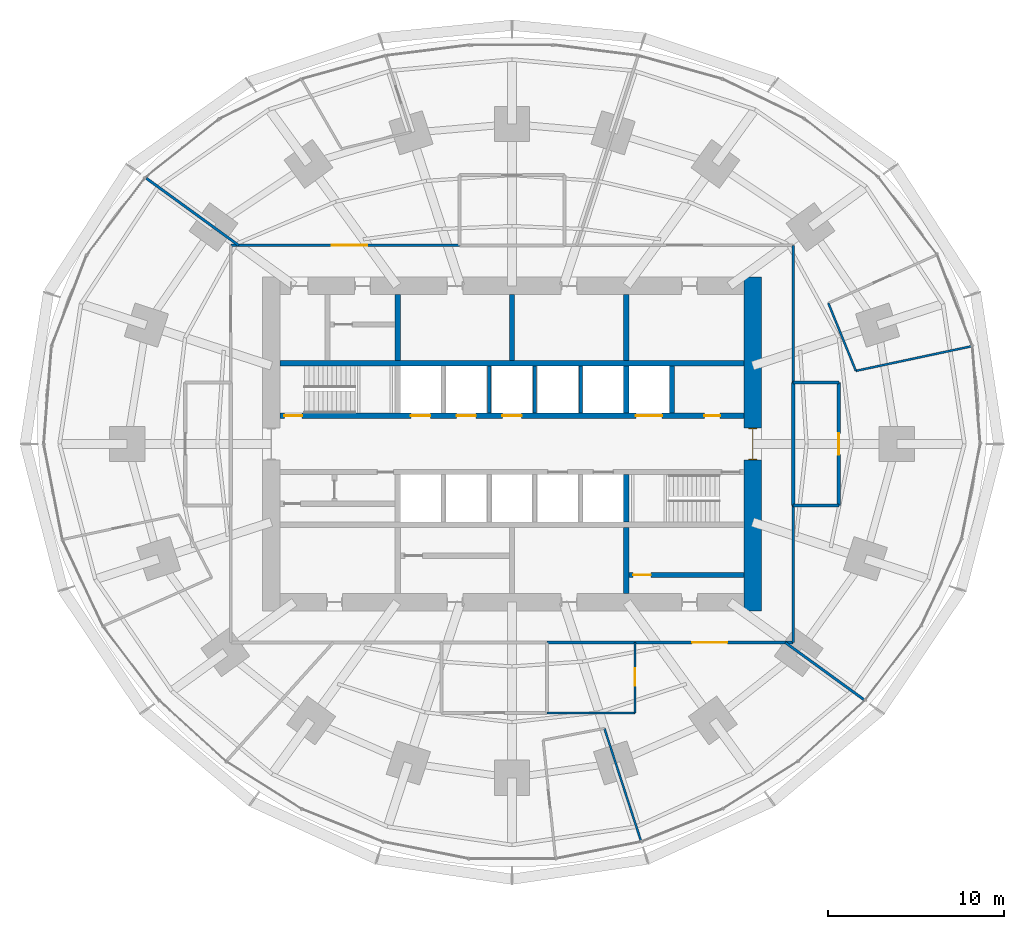
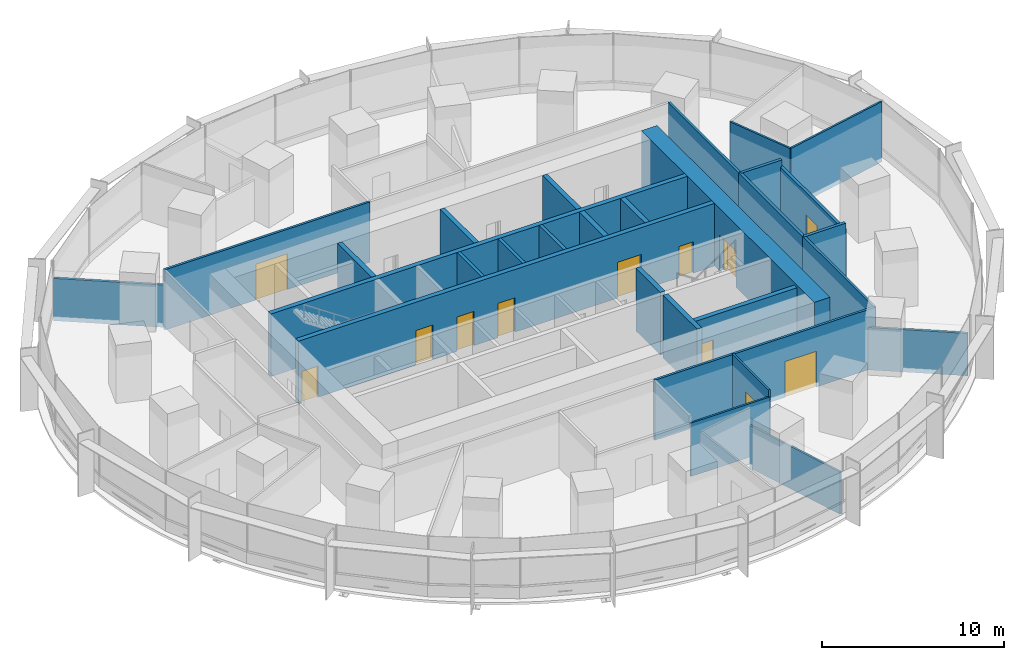
# One storey, part 12 of 15: 29 walls, 12 doors, 12 openings.
"""IFC4 building model written with IfcOpenShell, lengths in metres."""

from ifc_helpers import new_model, si_unit, direction, frame, frame_2d, origin, place, context, subcontext, project, spatial, rectangle, extrude, material, layer, layer_set, type_object, element, fill, save


model = new_model("IFC4")

# Units and contexts
model_context = context("Model", 3, precision=1e-05, world=origin(), true_north=direction((0.0, 1.0)))
body_context = subcontext(model_context, "Body", "Model", "MODEL_VIEW")
ifc_project = project(units=[si_unit("LENGTHUNIT", "METRE"), si_unit("AREAUNIT", "SQUARE_METRE"), si_unit("VOLUMEUNIT", "CUBIC_METRE"), si_unit("PLANEANGLEUNIT", "RADIAN"), si_unit("MASSUNIT", "GRAM", prefix="KILO")], contexts=[model_context])

# Site, building, storey
site_placement = place(None, origin())
site = spatial("IfcSite", under=ifc_project, at=site_placement, CompositionType="ELEMENT")
building_placement = place(site_placement, origin())
building = spatial("IfcBuilding", under=site, at=building_placement, Name="Marramba Exchange Tower", CompositionType="ELEMENT")
storey_placement = place(building_placement, frame((0.0, 0.0, 74.199951171875)))
storey = spatial("IfcBuildingStorey", under=building, at=storey_placement, Name="L17", CompositionType="ELEMENT", Elevation=74.199951171875)

# Walls
ifc_material_1 = material(Name="Concrete N50", Category="concrete")
ifc_layer_1 = layer(ifc_material_1, 0.199951171875)
ifc_layer_set_1 = layer_set([ifc_layer_1], Name="Core shaft wall 200")
wall_type_1 = type_object("IfcWallType", Name="Core shaft wall 200", PredefinedType="SHEAR", material=ifc_layer_set_1)
for number, where, z_axis, x_axis, name in (
    (1, (-1.300048828125, 1.75, 0.0), (0.0, 0.0, 1.0), (0.0, 1.0, 0.0), "Core wall SHN2 L17"),
    (2, (1.300048828125, 1.75, 0.0), (0.0, 0.0, 1.0), (0.0, 1.0, 0.0), "Core wall SHN3 L17"),
    (3, (3.89990234375, 1.75, 0.0), (0.0, 0.0, 1.0), (0.0, 1.0, 0.0), "Core wall SHN4 L17"),
):
    element("IfcWall", number, at=place(storey_placement, frame(where, z_axis=z_axis, x_axis=x_axis)), inside=storey, type_object=wall_type_1, Name=name, PredefinedType="SHEAR", context=body_context, shape_type="SweptSolid", body=[
        extrude(rectangle(XDim=2.699951171875, YDim=0.199951171875, at=frame_2d((1.35009765625, 0.0))), origin(), (0.0, 0.0, 1.0), 4.199951171875),
    ])

# Wall, opening, door
ifc_layer_2 = layer(ifc_material_1, 1.0)
ifc_layer_set_2 = layer_set([ifc_layer_2], Name="Core wall 1000")
wall_type_2 = type_object("IfcWallType", Name="Core wall 1000", PredefinedType="SHEAR", material=ifc_layer_set_2)
wall_1_placement = place(storey_placement, frame((13.699951171875, -9.5, 0.0), z_axis=(0.0, 0.0, 1.0), x_axis=(0.0, 1.0, 0.0)))
wall_1 = element("IfcWall", 4, at=wall_1_placement, inside=storey, type_object=wall_type_2, Name="Core wall E L17", PredefinedType="SHEAR", context=body_context, shape_type="SweptSolid", body=[
    extrude(rectangle(XDim=19.0, YDim=1.0, at=frame_2d((9.5, 0.0))), origin(), (0.0, 0.0, 1.0), 4.199951171875),
])
opening_1_placement = place(wall_1_placement, frame((8.60009765625, 0.0, 0.0)))
opening_1 = element("IfcOpeningElement", 5, at=opening_1_placement, cuts=wall_1, Name="Opening D1", PredefinedType="OPENING", context=body_context, shape_type="SweptSolid", body=[
    extrude(rectangle(XDim=1.800048828125, YDim=2.39990234375, at=frame_2d((0.89990234375, 1.199951171875))), frame((0.0, 0.510009765625, 0.0), z_axis=(0.0, -1.0, 0.0), x_axis=(1.0, 0.0, 0.0)), (0.0, 0.0, 1.0), 1.02001953125),
])
ifc_material_2 = material(Name="Steel-framed door", Category="steel")
door_type_1 = type_object("IfcDoorType", Name="Lobby exit door 1800x2400", OperationType="DOUBLE_DOOR_SINGLE_SWING", PredefinedType="DOOR", material=ifc_material_2)
door_1_placement = place(opening_1_placement, origin())
door_1 = element("IfcDoor", 6, at=door_1_placement, inside=storey, type_object=door_type_1, Name="D1 lobby exit east L17", OperationType="DOUBLE_DOOR_SINGLE_SWING", OverallHeight=2.39990234375, OverallWidth=1.800048828125, PredefinedType="DOOR", context=body_context, shape_type="SweptSolid", body=[
    extrude(rectangle(XDim=1.719970703125, YDim=2.35986328125, at=frame_2d((0.89990234375, 1.179931640625))), frame((0.0, 0.02490234375, 0.0), z_axis=(0.0, -1.0, 0.0), x_axis=(1.0, 0.0, 0.0)), (0.0, 0.0, 1.0), 0.050048828125),
    extrude(rectangle(XDim=0.04, YDim=2.39990234375, at=frame_2d((0.02001953125, 1.199951171875))), frame((0.0, 0.25, 0.0), z_axis=(0.0, -1.0, 0.0), x_axis=(1.0, 0.0, 0.0)), (0.0, 0.0, 1.0), 0.5),
    extrude(rectangle(XDim=0.04, YDim=2.39990234375, at=frame_2d((1.780029296875, 1.199951171875))), frame((0.0, 0.25, 0.0), z_axis=(0.0, -1.0, 0.0), x_axis=(1.0, 0.0, 0.0)), (0.0, 0.0, 1.0), 0.5),
    extrude(rectangle(XDim=1.719970703125, YDim=0.04, at=frame_2d((0.89990234375, 2.3798828125))), frame((0.0, 0.25, 0.0), z_axis=(0.0, -1.0, 0.0), x_axis=(1.0, 0.0, 0.0)), (0.0, 0.0, 1.0), 0.5),
])
fill(opening_1, door_1)

# Wall, openings, doors
ifc_layer_3 = layer(ifc_material_1, 0.300048828125)
ifc_layer_set_3 = layer_set([ifc_layer_3], Name="Core wall 300")
wall_type_3 = type_object("IfcWallType", Name="Core wall 300", PredefinedType="SHEAR", material=ifc_layer_set_3)
wall_2_placement = place(storey_placement, frame((-13.199951171875, 1.60009765625, 0.0), z_axis=(0.0, 0.0, 1.0), x_axis=(1.0, 0.0, 0.0)))
wall_2 = element("IfcWall", 7, at=wall_2_placement, inside=storey, type_object=wall_type_3, Name="Core wall LN L17", PredefinedType="SHEAR", context=body_context, shape_type="SweptSolid", body=[
    extrude(rectangle(XDim=26.39990234375, YDim=0.300048828125, at=frame_2d((13.199951171875, 0.0))), origin(), (0.0, 0.0, 1.0), 4.199951171875),
])
opening_2_placement = place(wall_2_placement, frame((0.25, 0.0, 0.0)))
opening_2 = element("IfcOpeningElement", 8, at=opening_2_placement, cuts=wall_2, Name="Opening D2", PredefinedType="OPENING", context=body_context, shape_type="SweptSolid", body=[
    extrude(rectangle(XDim=1.0, YDim=2.10009765625, at=frame_2d((0.5, 1.050048828125))), frame((0.0, 0.159912109375, 0.0), z_axis=(0.0, -1.0, 0.0), x_axis=(1.0, 0.0, 0.0)), (0.0, 0.0, 1.0), 0.320068359375),
])
opening_3_placement = place(wall_2_placement, frame((20.25, 0.0, 0.0)))
opening_3 = element("IfcOpeningElement", 9, at=opening_3_placement, cuts=wall_2, Name="Opening LD3", PredefinedType="OPENING", context=body_context, shape_type="SweptSolid", body=[
    extrude(rectangle(XDim=1.5, YDim=2.39990234375, at=frame_2d((0.75, 1.199951171875))), frame((0.0, 0.159912109375, 0.0), z_axis=(0.0, -1.0, 0.0), x_axis=(1.0, 0.0, 0.0)), (0.0, 0.0, 1.0), 0.320068359375),
])
opening_4_placement = place(wall_2_placement, frame((7.449951171875, 0.0, 0.0)))
opening_4 = element("IfcOpeningElement", 10, at=opening_4_placement, cuts=wall_2, Name="Opening LD1", PredefinedType="OPENING", context=body_context, shape_type="SweptSolid", body=[
    extrude(rectangle(XDim=1.10009765625, YDim=2.300048828125, at=frame_2d((0.550048828125, 1.14990234375))), frame((0.0, 0.159912109375, 0.0), z_axis=(0.0, -1.0, 0.0), x_axis=(1.0, 0.0, 0.0)), (0.0, 0.0, 1.0), 0.320068359375),
])
opening_5_placement = place(wall_2_placement, frame((10.050048828125, 0.0, 0.0)))
opening_5 = element("IfcOpeningElement", 11, at=opening_5_placement, cuts=wall_2, Name="Opening LD1", PredefinedType="OPENING", context=body_context, shape_type="SweptSolid", body=[
    extrude(rectangle(XDim=1.10009765625, YDim=2.300048828125, at=frame_2d((0.550048828125, 1.14990234375))), frame((0.0, 0.159912109375, 0.0), z_axis=(0.0, -1.0, 0.0), x_axis=(1.0, 0.0, 0.0)), (0.0, 0.0, 1.0), 0.320068359375),
])
opening_6_placement = place(wall_2_placement, frame((12.64990234375, 0.0, 0.0)))
opening_6 = element("IfcOpeningElement", 12, at=opening_6_placement, cuts=wall_2, Name="Opening LD1", PredefinedType="OPENING", context=body_context, shape_type="SweptSolid", body=[
    extrude(rectangle(XDim=1.10009765625, YDim=2.300048828125, at=frame_2d((0.550048828125, 1.14990234375))), frame((0.0, 0.159912109375, 0.0), z_axis=(0.0, -1.0, 0.0), x_axis=(1.0, 0.0, 0.0)), (0.0, 0.0, 1.0), 0.320068359375),
])
opening_7_placement = place(wall_2_placement, frame((24.14990234375, 0.0, 0.0)))
opening_7 = element("IfcOpeningElement", 13, at=opening_7_placement, cuts=wall_2, Name="Opening D5", PredefinedType="OPENING", context=body_context, shape_type="SweptSolid", body=[
    extrude(rectangle(XDim=0.89990234375, YDim=2.10009765625, at=frame_2d((0.449951171875, 1.050048828125))), frame((0.0, 0.159912109375, 0.0), z_axis=(0.0, -1.0, 0.0), x_axis=(1.0, 0.0, 0.0)), (0.0, 0.0, 1.0), 0.320068359375),
])
door_type_2 = type_object("IfcDoorType", Name="Goods lift landing door 1500x2400", OperationType="SLIDING_TO_LEFT", PredefinedType="DOOR", material=ifc_material_2)
door_2_placement = place(opening_3_placement, origin())
door_2 = element("IfcDoor", 14, at=door_2_placement, inside=storey, type_object=door_type_2, Name="GL1 landing door L17", OperationType="SLIDING_TO_LEFT", OverallHeight=2.39990234375, OverallWidth=1.5, PredefinedType="DOOR", context=body_context, shape_type="SweptSolid", body=[
    extrude(rectangle(XDim=1.5, YDim=2.39990234375, at=frame_2d((0.75, 1.199951171875))), frame((0.0, 0.02490234375, 0.0), z_axis=(0.0, -1.0, 0.0), x_axis=(1.0, 0.0, 0.0)), (0.0, 0.0, 1.0), 0.050048828125),
])
fill(opening_3, door_2)
door_type_3 = type_object("IfcDoorType", Name="Lift landing door 1100x2300", OperationType="SLIDING_TO_LEFT", PredefinedType="DOOR", material=ifc_material_2)
door_3_placement = place(opening_4_placement, origin())
door_3 = element("IfcDoor", 15, at=door_3_placement, inside=storey, type_object=door_type_3, Name="LA1 landing door L17", OperationType="SLIDING_TO_LEFT", OverallHeight=2.300048828125, OverallWidth=1.10009765625, PredefinedType="DOOR", context=body_context, shape_type="SweptSolid", body=[
    extrude(rectangle(XDim=1.10009765625, YDim=2.300048828125, at=frame_2d((0.550048828125, 1.14990234375))), frame((0.0, 0.02490234375, 0.0), z_axis=(0.0, -1.0, 0.0), x_axis=(1.0, 0.0, 0.0)), (0.0, 0.0, 1.0), 0.050048828125),
])
fill(opening_4, door_3)
door_4_placement = place(opening_5_placement, origin())
door_4 = element("IfcDoor", 16, at=door_4_placement, inside=storey, type_object=door_type_3, Name="LA2 landing door L17", OperationType="SLIDING_TO_LEFT", OverallHeight=2.300048828125, OverallWidth=1.10009765625, PredefinedType="DOOR", context=body_context, shape_type="SweptSolid", body=[
    extrude(rectangle(XDim=1.10009765625, YDim=2.300048828125, at=frame_2d((0.550048828125, 1.14990234375))), frame((0.0, 0.02490234375, 0.0), z_axis=(0.0, -1.0, 0.0), x_axis=(1.0, 0.0, 0.0)), (0.0, 0.0, 1.0), 0.050048828125),
])
fill(opening_5, door_4)
door_5_placement = place(opening_6_placement, origin())
door_5 = element("IfcDoor", 17, at=door_5_placement, inside=storey, type_object=door_type_3, Name="LA3 landing door L17", OperationType="SLIDING_TO_RIGHT", OverallHeight=2.300048828125, OverallWidth=1.10009765625, PredefinedType="DOOR", context=body_context, shape_type="SweptSolid", body=[
    extrude(rectangle(XDim=1.10009765625, YDim=2.300048828125, at=frame_2d((0.550048828125, 1.14990234375))), frame((0.0, 0.02490234375, 0.0), z_axis=(0.0, -1.0, 0.0), x_axis=(1.0, 0.0, 0.0)), (0.0, 0.0, 1.0), 0.050048828125),
])
fill(opening_6, door_5)
door_type_4 = type_object("IfcDoorType", Name="Service door 900x2100", OperationType="SINGLE_SWING_LEFT", PredefinedType="DOOR", material=ifc_material_2)
door_6_placement = place(opening_7_placement, origin())
door_6 = element("IfcDoor", 18, at=door_6_placement, inside=storey, type_object=door_type_4, Name="D5 riser L17", OperationType="SINGLE_SWING_RIGHT", OverallHeight=2.10009765625, OverallWidth=0.89990234375, PredefinedType="DOOR", context=body_context, shape_type="SweptSolid", body=[
    extrude(rectangle(XDim=0.89990234375, YDim=2.10009765625, at=frame_2d((0.449951171875, 1.050048828125))), frame((0.0, 0.02490234375, 0.0), z_axis=(0.0, -1.0, 0.0), x_axis=(1.0, 0.0, 0.0)), (0.0, 0.0, 1.0), 0.050048828125),
])
fill(opening_7, door_6)
door_type_5 = type_object("IfcDoorType", Name="Stair door 1000x2100", OperationType="SINGLE_SWING_LEFT", PredefinedType="DOOR", material=ifc_material_2)
door_7_placement = place(opening_2_placement, origin())
door_7 = element("IfcDoor", 19, at=door_7_placement, inside=storey, type_object=door_type_5, Name="D2 stair ST1 L17", OperationType="SINGLE_SWING_LEFT", OverallHeight=2.10009765625, OverallWidth=1.0, PredefinedType="DOOR", context=body_context, shape_type="SweptSolid", body=[
    extrude(rectangle(XDim=1.0, YDim=2.10009765625, at=frame_2d((0.5, 1.050048828125))), frame((0.0, 0.02490234375, 0.0), z_axis=(0.0, -1.0, 0.0), x_axis=(1.0, 0.0, 0.0)), (0.0, 0.0, 1.0), 0.050048828125),
])
fill(opening_2, door_7)

# Walls
wall_3_placement = place(storey_placement, frame((-13.199951171875, 4.60009765625, 0.0), z_axis=(0.0, 0.0, 1.0), x_axis=(1.0, 0.0, 0.0)))
element("IfcWall", 20, at=wall_3_placement, inside=storey, type_object=wall_type_3, Name="Core wall BN L17", PredefinedType="SHEAR", context=body_context, shape_type="SweptSolid", body=[
    extrude(rectangle(XDim=26.39990234375, YDim=0.300048828125, at=frame_2d((13.199951171875, 0.0))), origin(), (0.0, 0.0, 1.0), 4.199951171875),
])
wall_4_placement = place(storey_placement, frame((-6.5, 4.75, 0.0), z_axis=(0.0, 0.0, 1.0), x_axis=(0.0, 1.0, 0.0)))
element("IfcWall", 21, at=wall_4_placement, inside=storey, type_object=wall_type_3, Name="Core wall X0Nb L17", PredefinedType="SHEAR", context=body_context, shape_type="SweptSolid", body=[
    extrude(rectangle(XDim=3.75, YDim=0.300048828125, at=frame_2d((1.875, 0.0))), origin(), (0.0, 0.0, 1.0), 4.199951171875),
])
wall_5_placement = place(storey_placement, frame((6.5, 1.75, 0.0), z_axis=(0.0, 0.0, 1.0), x_axis=(0.0, 1.0, 0.0)))
element("IfcWall", 22, at=wall_5_placement, inside=storey, type_object=wall_type_3, Name="Core wall X1Na L17", PredefinedType="SHEAR", context=body_context, shape_type="SweptSolid", body=[
    extrude(rectangle(XDim=2.699951171875, YDim=0.300048828125, at=frame_2d((1.35009765625, 0.0))), origin(), (0.0, 0.0, 1.0), 4.199951171875),
])
for number, where, z_axis, x_axis, name in (
    (23, (6.5, 4.75, 0.0), (0.0, 0.0, 1.0), (0.0, 1.0, 0.0), "Core wall X1Nb L17"),
    (24, (0.0, 4.75, 0.0), (0.0, 0.0, 1.0), (0.0, 1.0, 0.0), "Core wall MN L17"),
):
    element("IfcWall", number, at=place(storey_placement, frame(where, z_axis=z_axis, x_axis=x_axis)), inside=storey, type_object=wall_type_3, Name=name, PredefinedType="SHEAR", context=body_context, shape_type="SweptSolid", body=[
        extrude(rectangle(XDim=3.75, YDim=0.300048828125, at=frame_2d((1.875, 0.0))), origin(), (0.0, 0.0, 1.0), 4.199951171875),
    ])
wall_6_placement = place(storey_placement, frame((6.5, -1.75, 0.0), z_axis=(0.0, 0.0, 1.0), x_axis=(0.0, -1.0, 0.0)))
element("IfcWall", 25, at=wall_6_placement, inside=storey, type_object=wall_type_3, Name="Core wall X1Sa L17", PredefinedType="SHEAR", context=body_context, shape_type="SweptSolid", body=[
    extrude(rectangle(XDim=2.699951171875, YDim=0.300048828125, at=frame_2d((1.35009765625, 0.0))), origin(), (0.0, 0.0, 1.0), 4.199951171875),
])
wall_7_placement = place(storey_placement, frame((6.5, -4.75, 0.0), z_axis=(0.0, 0.0, 1.0), x_axis=(0.0, -1.0, 0.0)))
element("IfcWall", 26, at=wall_7_placement, inside=storey, type_object=wall_type_3, Name="Core wall X1Sb L17", PredefinedType="SHEAR", context=body_context, shape_type="SweptSolid", body=[
    extrude(rectangle(XDim=3.75, YDim=0.300048828125, at=frame_2d((1.875, 0.0))), origin(), (0.0, 0.0, 1.0), 4.199951171875),
])
wall_8_placement = place(storey_placement, frame((9.10009765625, 1.75, 0.0), z_axis=(0.0, 0.0, 1.0), x_axis=(0.0, 1.0, 0.0)))
element("IfcWall", 27, at=wall_8_placement, inside=storey, type_object=wall_type_3, Name="Core wall ED L17", PredefinedType="SHEAR", context=body_context, shape_type="SweptSolid", body=[
    extrude(rectangle(XDim=2.699951171875, YDim=0.300048828125, at=frame_2d((1.35009765625, 0.0))), origin(), (0.0, 0.0, 1.0), 4.199951171875),
])
ifc_material_3 = material(Name="Core-filled concrete blockwork, rendered", Category="masonry")
ifc_layer_4 = layer(ifc_material_3, 0.18994140625)
ifc_layer_set_4 = layer_set([ifc_layer_4], Name="Equipment room wall 190")
wall_type_4 = type_object("IfcWallType", Name="Equipment room wall 190", PredefinedType="SOLIDWALL", material=ifc_layer_set_4)
wall_9_placement = place(storey_placement, frame((16.0, -3.5, 0.0), z_axis=(0.0, 0.0, 1.0), x_axis=(1.0, 0.0, 0.0)))
element("IfcWall", 28, at=wall_9_placement, inside=storey, type_object=wall_type_4, Name="Equipment room wall L17 20", PredefinedType="SOLIDWALL", context=body_context, shape_type="SweptSolid", body=[
    extrude(rectangle(XDim=2.60009765625, YDim=0.18994140625, at=frame_2d((1.300048828125, 0.0))), origin(), (0.0, 0.0, 1.0), 4.0400390625),
])
wall_10_placement = place(storey_placement, frame((16.0, 3.5, 0.0), z_axis=(0.0, 0.0, 1.0), x_axis=(0.0, -1.0, 0.0)))
element("IfcWall", 29, at=wall_10_placement, inside=storey, type_object=wall_type_4, Name="Equipment room wall L17 21", PredefinedType="SOLIDWALL", context=body_context, shape_type="SweptSolid", body=[
    extrude(rectangle(XDim=7.0, YDim=0.18994140625, at=frame_2d((3.5, 0.0))), origin(), (0.0, 0.0, 1.0), 4.0400390625),
])

# Wall, opening, door
wall_11_placement = place(storey_placement, frame((18.60009765625, -3.5, 0.0), z_axis=(0.0, 0.0, 1.0), x_axis=(0.0, 1.0, 0.0)))
wall_11 = element("IfcWall", 30, at=wall_11_placement, inside=storey, type_object=wall_type_4, Name="Equipment room wall L17 22", PredefinedType="SOLIDWALL", context=body_context, shape_type="SweptSolid", body=[
    extrude(rectangle(XDim=7.0, YDim=0.18994140625, at=frame_2d((3.5, 0.0))), origin(), (0.0, 0.0, 1.0), 3.5859375),
])
opening_8_placement = place(wall_11_placement, frame((2.89990234375, 0.0, 0.0)))
opening_8 = element("IfcOpeningElement", 31, at=opening_8_placement, cuts=wall_11, Name="Opening D16", PredefinedType="OPENING", context=body_context, shape_type="SweptSolid", body=[
    extrude(rectangle(XDim=1.199951171875, YDim=2.10009765625, at=frame_2d((0.60009765625, 1.050048828125))), frame((0.0, 0.10498046875, 0.0), z_axis=(0.0, -1.0, 0.0), x_axis=(1.0, 0.0, 0.0)), (0.0, 0.0, 1.0), 0.2099609375),
])
door_type_6 = type_object("IfcDoorType", Name="Equipment room door 1200x2100", OperationType="SINGLE_SWING_LEFT", PredefinedType="DOOR", material=ifc_material_2)
door_8_placement = place(opening_8_placement, origin())
door_8 = element("IfcDoor", 32, at=door_8_placement, inside=storey, type_object=door_type_6, Name="D16 Data Room 1 L17", OperationType="SINGLE_SWING_RIGHT", OverallHeight=2.10009765625, OverallWidth=1.199951171875, PredefinedType="DOOR", context=body_context, shape_type="SweptSolid", body=[
    extrude(rectangle(XDim=1.199951171875, YDim=2.10009765625, at=frame_2d((0.60009765625, 1.050048828125))), frame((0.0, 0.02490234375, 0.0), z_axis=(0.0, -1.0, 0.0), x_axis=(1.0, 0.0, 0.0)), (0.0, 0.0, 1.0), 0.050048828125),
])
fill(opening_8, door_8)

# Walls
wall_12_placement = place(storey_placement, frame((18.60009765625, 3.5, 0.0), z_axis=(0.0, 0.0, 1.0), x_axis=(-1.0, 0.0, 0.0)))
element("IfcWall", 33, at=wall_12_placement, inside=storey, type_object=wall_type_4, Name="Equipment room wall L17 23", PredefinedType="SOLIDWALL", context=body_context, shape_type="SweptSolid", body=[
    extrude(rectangle(XDim=2.60009765625, YDim=0.18994140625, at=frame_2d((1.300048828125, 0.0))), origin(), (0.0, 0.0, 1.0), 4.0400390625),
])
ifc_material_4 = material(Name="Plasterboard on steel studs", Category="steel")
ifc_layer_5 = layer(ifc_material_4, 0.1201171875)
ifc_layer_set_5 = layer_set([ifc_layer_5], Name="Partition 120")
wall_type_5 = type_object("IfcWallType", Name="Partition 120", PredefinedType="PARTITIONING", material=ifc_layer_set_5)
wall_13_placement = place(storey_placement, frame((2.0, -15.300048828125, 0.0), z_axis=(0.0, 0.0, 1.0), x_axis=(1.0, 0.0, 0.0)))
element("IfcWall", 34, at=wall_13_placement, inside=storey, type_object=wall_type_5, Name="Partition L17 14", PredefinedType="PARTITIONING", context=body_context, shape_type="SweptSolid", body=[
    extrude(rectangle(XDim=5.0, YDim=0.1201171875, at=frame_2d((2.5, 0.0))), origin(), (0.0, 0.0, 1.0), 3.5859375),
])
wall_14_placement = place(storey_placement, frame((7.330078125, -22.56005859375, 0.0), z_axis=(0.0, 0.0, 1.0), x_axis=(-0.309003676349, 0.951060843481, 0.0)))
element("IfcWall", 35, at=wall_14_placement, inside=storey, type_object=wall_type_5, Name="Partition L17 15", PredefinedType="PARTITIONING", context=body_context, shape_type="SweptSolid", body=[
    extrude(rectangle(XDim=6.699951171875, YDim=0.1201171875, at=frame_2d((3.35009765625, 0.0))), origin(), (0.0, 0.0, 1.0), 2.840087890625),
])

# Wall, opening, door
wall_15_placement = place(storey_placement, frame((7.0, -15.300048828125, 0.0), z_axis=(0.0, 0.0, 1.0), x_axis=(0.0, 1.0, 0.0)))
wall_15 = element("IfcWall", 36, at=wall_15_placement, inside=storey, type_object=wall_type_5, Name="Partition L17 16", PredefinedType="PARTITIONING", context=body_context, shape_type="SweptSolid", body=[
    extrude(rectangle(XDim=4.0, YDim=0.1201171875, at=frame_2d((2.0, 0.0))), origin(), (0.0, 0.0, 1.0), 4.0400390625),
])
opening_9_placement = place(wall_15_placement, frame((1.52587890625, 0.0, 0.0)))
opening_9 = element("IfcOpeningElement", 37, at=opening_9_placement, cuts=wall_15, Name="Opening D9", PredefinedType="OPENING", context=body_context, shape_type="SweptSolid", body=[
    extrude(rectangle(XDim=1.0, YDim=2.39990234375, at=frame_2d((0.5, 1.199951171875))), frame((0.0, 0.070068359375, 0.0), z_axis=(0.0, -1.0, 0.0), x_axis=(1.0, 0.0, 0.0)), (0.0, 0.0, 1.0), 0.14013671875),
])
ifc_material_5 = material(Name="Timber door", Category="wood")
door_type_7 = type_object("IfcDoorType", Name="Room door 1000x2400", OperationType="SINGLE_SWING_LEFT", PredefinedType="DOOR", material=ifc_material_5)
door_9_placement = place(opening_9_placement, origin())
door_9 = element("IfcDoor", 38, at=door_9_placement, inside=storey, type_object=door_type_7, Name="D9 Pantry L17", OperationType="SINGLE_SWING_RIGHT", OverallHeight=2.39990234375, OverallWidth=1.0, PredefinedType="DOOR", context=body_context, shape_type="SweptSolid", body=[
    extrude(rectangle(XDim=1.0, YDim=2.39990234375, at=frame_2d((0.5, 1.199951171875))), frame((0.0, 0.02490234375, 0.0), z_axis=(0.0, -1.0, 0.0), x_axis=(1.0, 0.0, 0.0)), (0.0, 0.0, 1.0), 0.050048828125),
])
fill(opening_9, door_9)

# Walls
wall_16_placement = place(storey_placement, frame((19.569580078125, 4.15966796875, 0.0), z_axis=(0.0, 0.0, 1.0), x_axis=(0.978146625084, 0.207916280835, 0.0)))
element("IfcWall", 39, at=wall_16_placement, inside=storey, type_object=wall_type_5, Name="Partition L17 24", PredefinedType="PARTITIONING", context=body_context, shape_type="SweptSolid", body=[
    extrude(rectangle(XDim=6.7001953125, YDim=0.1201171875, at=frame_2d((3.35009765625, 0.0))), origin(), (0.0, 0.0, 1.0), 4.0400390625),
])
wall_17_placement = place(storey_placement, frame((18.002685546875, 8.015380859375, 0.0), z_axis=(0.0, 0.0, 1.0), x_axis=(0.376482466065, -0.926423743622, 0.0)))
element("IfcWall", 40, at=wall_17_placement, inside=storey, type_object=wall_type_5, Name="Partition L17 25", PredefinedType="PARTITIONING", context=body_context, shape_type="SweptSolid", body=[
    extrude(rectangle(XDim=4.161865234375, YDim=0.1201171875, at=frame_2d((2.0810546875, 0.0))), origin(), (0.0, 0.0, 1.0), 4.0400390625),
])

# Wall, opening, door
ifc_material_6 = material(Name="Plasterboard on steel studs, insulated, unrated", Category="steel")
ifc_layer_6 = layer(ifc_material_6, 0.300048828125)
ifc_layer_set_6 = layer_set([ifc_layer_6], Name="Store partition 300")
wall_type_6 = type_object("IfcWallType", Name="Store partition 300", PredefinedType="PARTITIONING", material=ifc_layer_set_6)
wall_18_placement = place(storey_placement, frame((6.64990234375, -7.4599609375, 0.0), z_axis=(0.0, 0.0, 1.0), x_axis=(1.0, 0.0, 0.0)))
wall_18 = element("IfcWall", 41, at=wall_18_placement, inside=storey, type_object=wall_type_6, Name="Store partition L17 cstore", PredefinedType="PARTITIONING", context=body_context, shape_type="SweptSolid", body=[
    extrude(rectangle(XDim=6.550048828125, YDim=0.300048828125, at=frame_2d((3.27490234375, 0.0))), origin(), (0.0, 0.0, 1.0), 4.0400390625),
])
opening_10_placement = place(wall_18_placement, frame((0.25, 0.0, 0.0)))
opening_10 = element("IfcOpeningElement", 42, at=opening_10_placement, cuts=wall_18, Name="Opening D9", PredefinedType="OPENING", context=body_context, shape_type="SweptSolid", body=[
    extrude(rectangle(XDim=1.0, YDim=2.39990234375, at=frame_2d((0.5, 1.199951171875))), frame((0.0, 0.159912109375, 0.0), z_axis=(0.0, -1.0, 0.0), x_axis=(1.0, 0.0, 0.0)), (0.0, 0.0, 1.0), 0.320068359375),
])
door_10_placement = place(opening_10_placement, frame((1.0, 0.0, 0.0), z_axis=(0.0, 0.0, 1.0), x_axis=(-1.0, 0.0, 0.0)))
door_10 = element("IfcDoor", 43, at=door_10_placement, inside=storey, type_object=door_type_7, Name="D9 general store L17", OperationType="SINGLE_SWING_RIGHT", OverallHeight=2.39990234375, OverallWidth=1.0, PredefinedType="DOOR", context=body_context, shape_type="SweptSolid", body=[
    extrude(rectangle(XDim=1.0, YDim=2.39990234375, at=frame_2d((0.5, 1.199951171875))), frame((0.0, 0.025146484375, 0.0), z_axis=(0.0, -1.0, 0.0), x_axis=(1.0, 0.0, 0.0)), (0.0, 0.0, 1.0), 0.050048828125),
])
fill(opening_10, door_10)

ifc_material_7 = material(Name="Fire-rated plasterboard on steel studs, acoustic insulation", Category="steel")
ifc_layer_7 = layer(ifc_material_7, 0.14990234375)
ifc_layer_set_7 = layer_set([ifc_layer_7], Name="Tenancy wall 150")
wall_type_7 = type_object("IfcWallType", Name="Tenancy wall 150", PredefinedType="PARTITIONING", material=ifc_layer_set_7)
wall_19_placement = place(storey_placement, frame((2.0, -11.300048828125, 0.0), z_axis=(0.0, 0.0, 1.0), x_axis=(1.0, 0.0, 0.0)))
wall_19 = element("IfcWall", 44, at=wall_19_placement, inside=storey, type_object=wall_type_7, Name="Tenancy wall L17 17", PredefinedType="PARTITIONING", context=body_context, shape_type="SweptSolid", body=[
    extrude(rectangle(XDim=14.0, YDim=0.14990234375, at=frame_2d((7.0, 0.0))), origin(), (0.0, 0.0, 1.0), 4.0400390625),
])
opening_11_placement = place(wall_19_placement, frame((8.251953125, 0.0, 0.0)))
opening_11 = element("IfcOpeningElement", 45, at=opening_11_placement, cuts=wall_19, Name="Opening D17", PredefinedType="OPENING", context=body_context, shape_type="SweptSolid", body=[
    extrude(rectangle(XDim=2.0, YDim=2.39990234375, at=frame_2d((1.0, 1.199951171875))), frame((0.0, 0.0849609375, 0.0), z_axis=(0.0, -1.0, 0.0), x_axis=(1.0, 0.0, 0.0)), (0.0, 0.0, 1.0), 0.169921875),
])
door_type_8 = type_object("IfcDoorType", Name="Trading floor entry door pair 2000x2400", OperationType="DOUBLE_DOOR_SINGLE_SWING", PredefinedType="DOOR", material=ifc_material_2)
door_11_placement = place(opening_11_placement, origin())
door_11 = element("IfcDoor", 46, at=door_11_placement, inside=storey, type_object=door_type_8, Name="D17 Trading Floor 3 L17", OperationType="DOUBLE_DOOR_SINGLE_SWING", OverallHeight=2.39990234375, OverallWidth=2.0, PredefinedType="DOOR", context=body_context, shape_type="SweptSolid", body=[
    extrude(rectangle(XDim=2.0, YDim=2.39990234375, at=frame_2d((1.0, 1.199951171875))), frame((0.0, 0.02490234375, 0.0), z_axis=(0.0, -1.0, 0.0), x_axis=(1.0, 0.0, 0.0)), (0.0, 0.0, 1.0), 0.050048828125),
])
fill(opening_11, door_11)

# Walls
wall_20_placement = place(storey_placement, frame((15.552978515625, -11.300048828125, 0.0), z_axis=(0.0, 0.0, 1.0), x_axis=(0.809032304237, -0.587764179499, 0.0)))
element("IfcWall", 47, at=wall_20_placement, inside=storey, type_object=wall_type_7, Name="Tenancy wall L17 18", PredefinedType="PARTITIONING", context=body_context, shape_type="SweptSolid", body=[
    extrude(rectangle(XDim=5.5224609375, YDim=0.14990234375, at=frame_2d((2.76123046875, 0.0))), origin(), (0.0, 0.0, 1.0), 2.840087890625),
])
for number, where, z_axis, x_axis, name in (
    (48, (16.0, -11.300048828125, 0.0), (0.0, 0.0, 1.0), (0.0, 1.0, 0.0), "Tenancy wall L17 19"),
    (49, (16.0, 3.5, 0.0), (0.0, 0.0, 1.0), (0.0, 1.0, 0.0), "Tenancy wall L17 27"),
):
    element("IfcWall", number, at=place(storey_placement, frame(where, z_axis=z_axis, x_axis=x_axis)), inside=storey, type_object=wall_type_7, Name=name, PredefinedType="PARTITIONING", context=body_context, shape_type="SweptSolid", body=[
        extrude(rectangle(XDim=7.800048828125, YDim=0.14990234375, at=frame_2d((3.89990234375, 0.0))), origin(), (0.0, 0.0, 1.0), 4.0400390625),
    ])

# Wall, opening, door
wall_21_placement = place(storey_placement, frame((-3.0, 11.300048828125, 0.0), z_axis=(0.0, 0.0, 1.0), x_axis=(-1.0, 0.0, 0.0)))
wall_21 = element("IfcWall", 50, at=wall_21_placement, inside=storey, type_object=wall_type_7, Name="Tenancy wall L17 37", PredefinedType="PARTITIONING", context=body_context, shape_type="SweptSolid", body=[
    extrude(rectangle(XDim=13.0, YDim=0.14990234375, at=frame_2d((6.5, 0.0))), origin(), (0.0, 0.0, 1.0), 4.0400390625),
])
opening_12_placement = place(wall_21_placement, frame((5.251953125, 0.0, 0.0)))
opening_12 = element("IfcOpeningElement", 51, at=opening_12_placement, cuts=wall_21, Name="Opening D17", PredefinedType="OPENING", context=body_context, shape_type="SweptSolid", body=[
    extrude(rectangle(XDim=2.0, YDim=2.39990234375, at=frame_2d((1.0, 1.199951171875))), frame((0.0, 0.0849609375, 0.0), z_axis=(0.0, -1.0, 0.0), x_axis=(1.0, 0.0, 0.0)), (0.0, 0.0, 1.0), 0.169921875),
])
door_12_placement = place(opening_12_placement, origin())
door_12 = element("IfcDoor", 52, at=door_12_placement, inside=storey, type_object=door_type_8, Name="D17 Trading Floor 1 L17", OperationType="DOUBLE_DOOR_SINGLE_SWING", OverallHeight=2.39990234375, OverallWidth=2.0, PredefinedType="DOOR", context=body_context, shape_type="SweptSolid", body=[
    extrude(rectangle(XDim=2.0, YDim=2.39990234375, at=frame_2d((1.0, 1.199951171875))), frame((0.0, 0.02490234375, 0.0), z_axis=(0.0, -1.0, 0.0), x_axis=(1.0, 0.0, 0.0)), (0.0, 0.0, 1.0), 0.050048828125),
])
fill(opening_12, door_12)

# Wall
wall_22_placement = place(storey_placement, frame((-15.552978515625, 11.300048828125, 0.0), z_axis=(0.0, 0.0, 1.0), x_axis=(-0.809031640451, 0.58776509317, 0.0)))
element("IfcWall", 53, at=wall_22_placement, inside=storey, type_object=wall_type_7, Name="Tenancy wall L17 38", PredefinedType="PARTITIONING", context=body_context, shape_type="SweptSolid", body=[
    extrude(rectangle(XDim=6.498779296875, YDim=0.14990234375, at=frame_2d((3.24951171875, 0.0))), origin(), (0.0, 0.0, 1.0), 2.840087890625),
])

save(model, "model.ifc")
